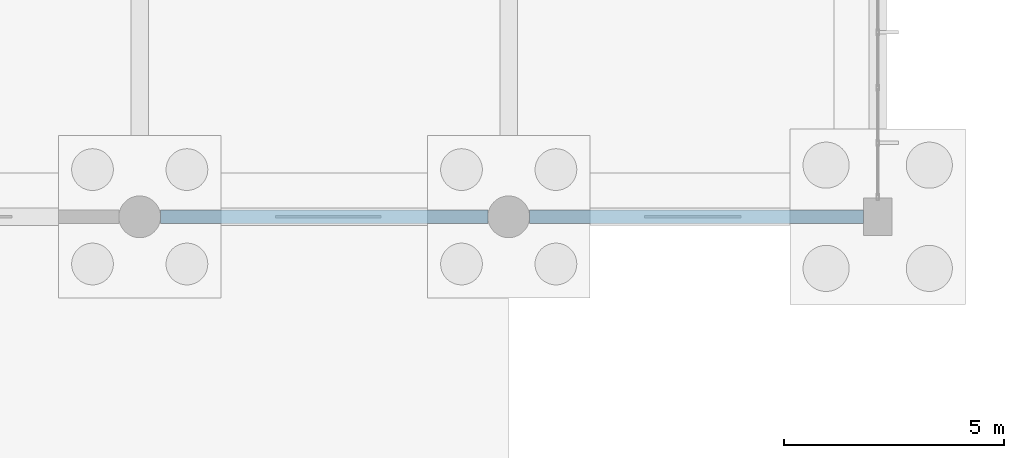
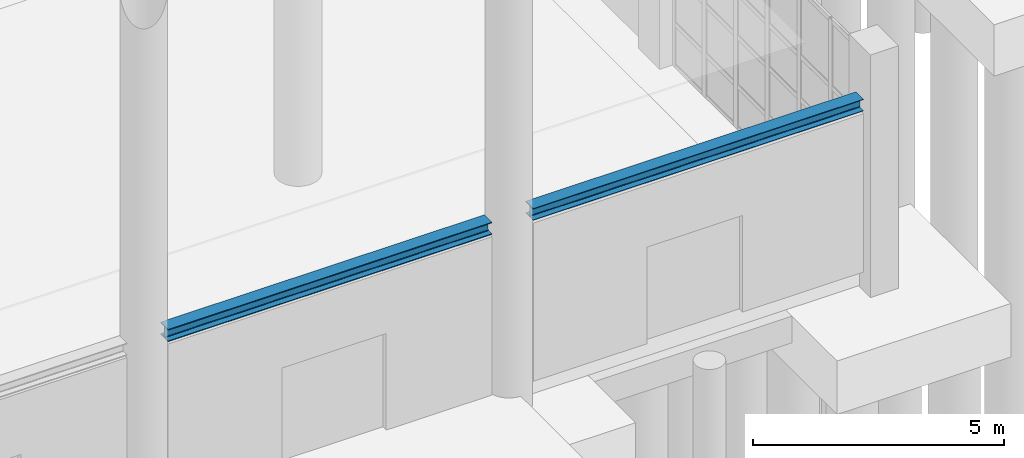
# One storey, part 17 of 83: 2 beams.
"""IFC4 building model written with IfcOpenShell, lengths in metres."""

import ifcopenshell
import ifcopenshell.guid

model = None  # the IFC model being written
_history = None  # IfcOwnerHistory: only IFC2X3 demands one
_inside = {}  # id of a spatial element -> (the spatial element, [elements in it])
_under = {}  # id of a project, library or spatial element -> (it, [spatial elements below it])
_declared = {}  # id of a project -> (the project, [libraries it declares])
_typed = {}  # id of a type object -> (the type object, [elements of that type])
_made_of = {}  # id of a material, layer set ... -> (it, [elements and type objects made of it])


def new_model(schema):
    """Start an empty IFC model of exactly this schema.

    Asked for "IFC4X3", IfcOpenShell would pick the latest addendum, in which some entities
    have other attributes; the version numbers below select the first issue.
    IFC2X3 requires an IfcOwnerHistory on every rooted entity: one is made here for all.
    """
    global model, _history
    if schema == "IFC4X3":
        model = ifcopenshell.file(schema_version=(4, 3, 0, 0))
    else:
        model = ifcopenshell.file(schema=schema)
    _inside.clear()
    _under.clear()
    _declared.clear()
    _typed.clear()
    _made_of.clear()
    _history = None
    if model.schema == "IFC2X3":
        org = make("IfcOrganization", Name="unknown")
        user = make(
            "IfcPersonAndOrganization",
            ThePerson=make("IfcPerson", FamilyName="unknown"),
            TheOrganization=org,
        )
        app = make(
            "IfcApplication",
            ApplicationDeveloper=org,
            Version="unknown",
            ApplicationFullName="unknown",
            ApplicationIdentifier="unknown",
        )
        _history = make(
            "IfcOwnerHistory",
            OwningUser=user,
            OwningApplication=app,
            ChangeAction="ADDED",
            CreationDate=0,
        )
    return model


def make(cls, **values):
    """One entity of the class cls with the attributes given. An attribute that is None is left unset."""
    return model.create_entity(
        cls, **{name: value for name, value in values.items() if value is not None}
    )


def rooted(cls, **values):
    """An entity with a GlobalId (a new one), such as an element, a storey or a relation."""
    return make(cls, GlobalId=ifcopenshell.guid.new(), OwnerHistory=_history, **values)


def si_unit(unit_type, name, prefix=None):
    """IfcSIUnit, for example si_unit("LENGTHUNIT", "METRE", prefix="MILLI")."""
    return make("IfcSIUnit", UnitType=unit_type, Prefix=prefix, Name=name)


def assignment(units):
    """IfcUnitAssignment: the units of a project."""
    return None if units is None else make("IfcUnitAssignment", Units=units)


def point(xyz):
    """IfcCartesianPoint."""
    return None if xyz is None else make("IfcCartesianPoint", Coordinates=xyz)


def direction(xyz):
    """IfcDirection."""
    return None if xyz is None else make("IfcDirection", DirectionRatios=xyz)


def frame(location, z_axis=None, x_axis=None):
    """IfcAxis2Placement3D, a coordinate frame: its origin and axes. An axis left out is left unset."""
    return make(
        "IfcAxis2Placement3D",
        Location=point(location),
        Axis=direction(z_axis),
        RefDirection=direction(x_axis),
    )


def frame_2d(location, x_axis=None):
    """IfcAxis2Placement2D, a coordinate frame in the plane: its origin and x axis."""
    return make(
        "IfcAxis2Placement2D", Location=point(location), RefDirection=direction(x_axis)
    )


def origin():
    """The frame at (0, 0, 0) with its axes left unset."""
    return frame((0.0, 0.0, 0.0))


def origin_2d():
    """The frame at (0, 0) in the plane with its x axis left unset."""
    return frame_2d((0.0, 0.0))


def place(relative_to, where):
    """IfcLocalPlacement: puts the frame where relative to a parent placement (None: the world)."""
    return make(
        "IfcLocalPlacement", PlacementRelTo=relative_to, RelativePlacement=where
    )


def context(
    kind, dimensions, precision=None, world=None, true_north=None, identifier=None
):
    """IfcGeometricRepresentationContext, for example the 3D "Model" context."""
    return make(
        "IfcGeometricRepresentationContext",
        ContextIdentifier=identifier,
        ContextType=kind,
        CoordinateSpaceDimension=dimensions,
        Precision=precision,
        WorldCoordinateSystem=world,
        TrueNorth=true_north,
    )


def subcontext(parent, identifier, kind, view, scale=None):
    """IfcGeometricRepresentationSubContext, for example "Body" below "Model"."""
    return make(
        "IfcGeometricRepresentationSubContext",
        ContextIdentifier=identifier,
        ContextType=kind,
        ParentContext=parent,
        TargetScale=scale,
        TargetView=view,
    )


def project(units=None, contexts=None):
    """IfcProject with its units and contexts."""
    return rooted(
        "IfcProject",
        Name="project",
        RepresentationContexts=contexts,
        UnitsInContext=assignment(units),
    )


def spatial(cls, under=None, at=None, **own):
    """A site, building, storey or space (cls), placed at a placement, below another one or the project."""
    s = rooted(cls, ObjectPlacement=at, **own)
    if under is not None:
        _under.setdefault(under.id(), (under, []))[1].append(s)
    return s


def profile(cls, at=None, kind="AREA", **sizes):
    """A parametric profile (cls). Its sizes go by their IFC names, for example OverallWidth=200.0."""
    return make(cls, ProfileType=kind, Position=at, **sizes)


def i_section(**sizes):
    """IfcIShapeProfileDef."""
    return profile("IfcIShapeProfileDef", **sizes)


def extrude(swept, where, along, depth):
    """IfcExtrudedAreaSolid: the profile swept, set in the frame where, extruded along a direction by depth."""
    return make(
        "IfcExtrudedAreaSolid",
        SweptArea=swept,
        Position=where,
        ExtrudedDirection=direction(along),
        Depth=depth,
    )


def shape(context_of_items, identifier, shape_type, items):
    """IfcShapeRepresentation: the items that make up one representation, for example the "Body"."""
    return make(
        "IfcShapeRepresentation",
        ContextOfItems=context_of_items,
        RepresentationIdentifier=identifier,
        RepresentationType=shape_type,
        Items=items,
    )


def material(Name=None, Category=None):
    """IfcMaterial."""
    return make("IfcMaterial", Name=Name, Category=Category)


def material_profile(
    of_material, cross_section, Name=None, Category=None, Priority=None
):
    """IfcMaterialProfile: a cross section and its material."""
    return make(
        "IfcMaterialProfile",
        Name=Name,
        Material=of_material,
        Profile=cross_section,
        Priority=Priority,
        Category=Category,
    )


def profile_set(profiles, Name=None, composite=None):
    """IfcMaterialProfileSet."""
    return make(
        "IfcMaterialProfileSet",
        Name=Name,
        MaterialProfiles=profiles,
        CompositeProfile=composite,
    )


def made_of(thing, what):
    """Note that an element or type object is made of a material, layer set ...; save() writes the relation."""
    if what is not None:
        _made_of.setdefault(what.id(), (what, []))[1].append(thing)
    return thing


def type_object(cls, material=None, **own):
    """A type object (cls), such as IfcWallType, which elements share."""
    return made_of(rooted(cls, **own), material)


def element(
    cls,
    number,
    at=None,
    inside=None,
    cuts=None,
    type_object=None,
    material=None,
    context=None,
    identifier="Body",
    shape_type=None,
    held_by="IfcProductDefinitionShape",
    body=None,
    shapes=None,
    **own,
):
    """One element of the class cls, such as IfcWall. Its Tag is "e" and its number.

    at: its placement. inside: the storey or other place that contains it. cuts: it is an
    opening in that element (IfcRelVoidsElement). A single representation is given by context,
    identifier, shape_type and body (its items); several are given by shapes. held_by: the class
    of the entity that holds the representations. save() writes the other relations.
    """
    e = rooted(cls, Tag="e%d" % number, ObjectPlacement=at, **own)
    if body is not None:
        shapes = [shape(context, identifier, shape_type, body)]
    if shapes is not None:
        e.Representation = make(held_by, Representations=shapes)
    if inside is not None:
        _inside.setdefault(inside.id(), (inside, []))[1].append(e)
    if cuts is not None:
        rooted(
            "IfcRelVoidsElement", RelatingBuildingElement=cuts, RelatedOpeningElement=e
        )
    if type_object is not None:
        _typed.setdefault(type_object.id(), (type_object, []))[1].append(e)
    return made_of(e, material)


def aggregate(whole, parts):
    """IfcRelAggregates: a whole, such as a stair, and the parts it consists of."""
    return rooted("IfcRelAggregates", RelatingObject=whole, RelatedObjects=parts)


def save(model, path):
    """Write the relations noted so far, then the file.

    IfcRelAggregates (storeys below a building ...), IfcRelContainedInSpatialStructure (elements
    in a storey), IfcRelDefinesByType, IfcRelAssociatesMaterial and IfcRelDeclares: one each for
    every whole, place, type object, material and project.
    """
    for whole, parts in _under.values():
        aggregate(whole, parts)
    for where, things in _inside.values():
        rooted(
            "IfcRelContainedInSpatialStructure",
            RelatedElements=things,
            RelatingStructure=where,
        )
    for kind, things in _typed.values():
        rooted("IfcRelDefinesByType", RelatedObjects=things, RelatingType=kind)
    for what, things in _made_of.values():
        rooted("IfcRelAssociatesMaterial", RelatedObjects=things, RelatingMaterial=what)
    for by, libraries in _declared.values():
        rooted("IfcRelDeclares", RelatingContext=by, RelatedDefinitions=libraries)
    model.write(path)


model = new_model("IFC4")

# Units and contexts
model_context = context("Model", 3, precision=1e-05, world=origin(), true_north=direction((0.0, 1.0)))
body_context = subcontext(model_context, "Body", "Model", "MODEL_VIEW")
ifc_project = project(units=[si_unit("LENGTHUNIT", "METRE"), si_unit("AREAUNIT", "SQUARE_METRE"), si_unit("VOLUMEUNIT", "CUBIC_METRE"), si_unit("PLANEANGLEUNIT", "RADIAN"), si_unit("MASSUNIT", "GRAM", prefix="KILO"), si_unit("THERMODYNAMICTEMPERATUREUNIT", "KELVIN"), si_unit("POWERUNIT", "WATT")], contexts=[model_context])

# Site, building, storey
site_placement = place(None, origin())
site = spatial("IfcSite", under=ifc_project, at=site_placement, CompositionType="ELEMENT")
building_placement = place(site_placement, origin())
building = spatial("IfcBuilding", under=site, at=building_placement, Name="Mavoryth Pier Ferry Terminal", CompositionType="ELEMENT")
storey_placement = place(building_placement, origin())
storey = spatial("IfcBuildingStorey", under=building, at=storey_placement, Name="L00", CompositionType="ELEMENT", Elevation=0.0)

# Beams
ifc_material = material(Name="Steel S355J2", Category="steel")
ifc_material_profile_1 = material_profile(ifc_material, i_section(OverallWidth=0.300048828125, OverallDepth=0.2900390625, WebThickness=0.008544921875, FlangeThickness=0.013916015625, FilletRadius=0.027099609375, at=origin_2d()), Name="HEA 300", Category="steel")
ifc_profile_set_1 = profile_set([ifc_material_profile_1], Name="Steel S355J2 - HEA 300")
beam_type_1 = type_object("IfcBeamType", Name="Lintel-Steel-HEA300", PredefinedType="LINTEL", material=ifc_profile_set_1)
beam_1_placement = place(storey_placement, frame((25.675048828125, 22.0, 4.054931640625), z_axis=(1.0, 0.0, 0.0), x_axis=(0.0, 1.0, 0.0)))
element("IfcBeam", 1, at=beam_1_placement, inside=storey, type_object=beam_type_1, Name="Beam B00-LN02-1607", PredefinedType="LINTEL", context=body_context, shape_type="SweptSolid", body=[
    extrude(i_section(OverallWidth=0.300048828125, OverallDepth=0.2900390625, WebThickness=0.008544921875, FlangeThickness=0.013916015625, FilletRadius=0.027099609375, at=origin_2d()), origin(), (0.0, 0.0, 1.0), 7.599853515625),
])
ifc_material_profile_2 = material_profile(ifc_material, i_section(OverallWidth=0.300048828125, OverallDepth=0.300048828125, WebThickness=0.010986328125, FlangeThickness=0.01904296875, FilletRadius=0.027099609375, at=origin_2d()), Name="HEB 300", Category="steel")
ifc_profile_set_2 = profile_set([ifc_material_profile_2], Name="Steel S355J2 - HEB 300")
beam_type_2 = type_object("IfcBeamType", Name="Lintel-Steel-HEB300", PredefinedType="LINTEL", material=ifc_profile_set_2)
beam_2_placement = place(storey_placement, frame((17.27490234375, 22.0, 4.050048828125), z_axis=(1.0, 0.0, 0.0), x_axis=(0.0, 1.0, 0.0)))
element("IfcBeam", 2, at=beam_2_placement, inside=storey, type_object=beam_type_2, Name="Beam B00-LN01-1606", PredefinedType="LINTEL", context=body_context, shape_type="SweptSolid", body=[
    extrude(i_section(OverallWidth=0.300048828125, OverallDepth=0.300048828125, WebThickness=0.010986328125, FlangeThickness=0.01904296875, FilletRadius=0.027099609375, at=origin_2d()), origin(), (0.0, 0.0, 1.0), 7.4501953125),
])

save(model, "model.ifc")
